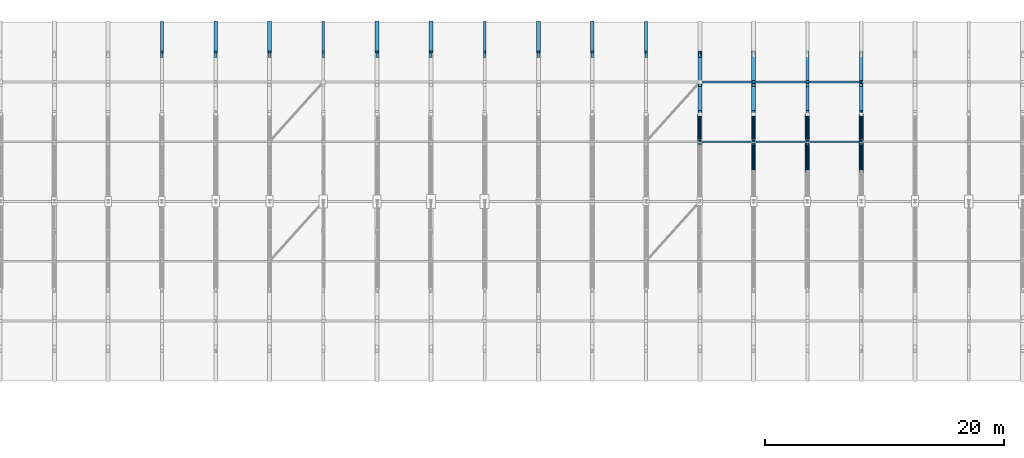
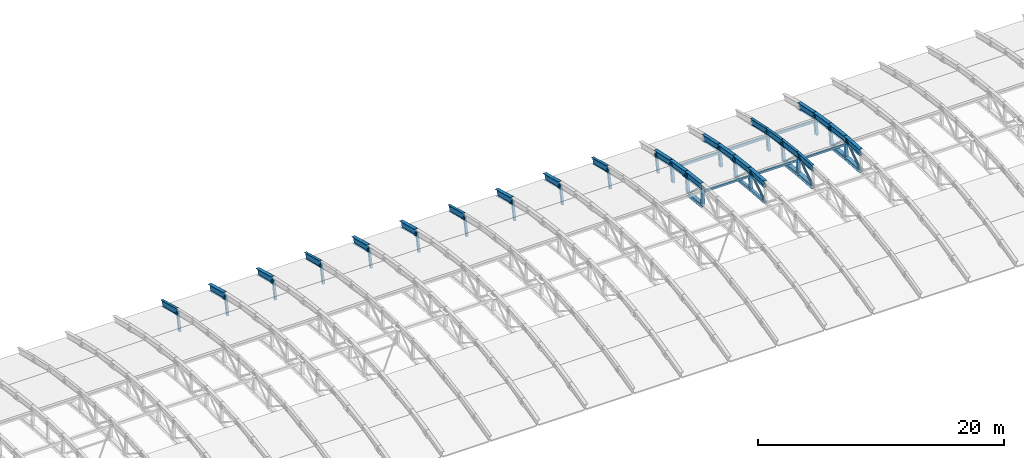
# One storey, part 20 of 53: 43 members, 25 beams.
"""IFC4 building model written with IfcOpenShell, lengths in metres."""

import ifcopenshell
import ifcopenshell.guid

model = None  # the IFC model being written
_history = None  # IfcOwnerHistory: only IFC2X3 demands one
_inside = {}  # id of a spatial element -> (the spatial element, [elements in it])
_under = {}  # id of a project, library or spatial element -> (it, [spatial elements below it])
_declared = {}  # id of a project -> (the project, [libraries it declares])
_typed = {}  # id of a type object -> (the type object, [elements of that type])
_made_of = {}  # id of a material, layer set ... -> (it, [elements and type objects made of it])


def new_model(schema):
    """Start an empty IFC model of exactly this schema.

    Asked for "IFC4X3", IfcOpenShell would pick the latest addendum, in which some entities
    have other attributes; the version numbers below select the first issue.
    IFC2X3 requires an IfcOwnerHistory on every rooted entity: one is made here for all.
    """
    global model, _history
    if schema == "IFC4X3":
        model = ifcopenshell.file(schema_version=(4, 3, 0, 0))
    else:
        model = ifcopenshell.file(schema=schema)
    _inside.clear()
    _under.clear()
    _declared.clear()
    _typed.clear()
    _made_of.clear()
    _history = None
    if model.schema == "IFC2X3":
        org = make("IfcOrganization", Name="unknown")
        user = make(
            "IfcPersonAndOrganization",
            ThePerson=make("IfcPerson", FamilyName="unknown"),
            TheOrganization=org,
        )
        app = make(
            "IfcApplication",
            ApplicationDeveloper=org,
            Version="unknown",
            ApplicationFullName="unknown",
            ApplicationIdentifier="unknown",
        )
        _history = make(
            "IfcOwnerHistory",
            OwningUser=user,
            OwningApplication=app,
            ChangeAction="ADDED",
            CreationDate=0,
        )
    return model


def make(cls, **values):
    """One entity of the class cls with the attributes given. An attribute that is None is left unset."""
    return model.create_entity(
        cls, **{name: value for name, value in values.items() if value is not None}
    )


def rooted(cls, **values):
    """An entity with a GlobalId (a new one), such as an element, a storey or a relation."""
    return make(cls, GlobalId=ifcopenshell.guid.new(), OwnerHistory=_history, **values)


def si_unit(unit_type, name, prefix=None):
    """IfcSIUnit, for example si_unit("LENGTHUNIT", "METRE", prefix="MILLI")."""
    return make("IfcSIUnit", UnitType=unit_type, Prefix=prefix, Name=name)


def assignment(units):
    """IfcUnitAssignment: the units of a project."""
    return None if units is None else make("IfcUnitAssignment", Units=units)


def point(xyz):
    """IfcCartesianPoint."""
    return None if xyz is None else make("IfcCartesianPoint", Coordinates=xyz)


def direction(xyz):
    """IfcDirection."""
    return None if xyz is None else make("IfcDirection", DirectionRatios=xyz)


def frame(location, z_axis=None, x_axis=None):
    """IfcAxis2Placement3D, a coordinate frame: its origin and axes. An axis left out is left unset."""
    return make(
        "IfcAxis2Placement3D",
        Location=point(location),
        Axis=direction(z_axis),
        RefDirection=direction(x_axis),
    )


def frame_2d(location, x_axis=None):
    """IfcAxis2Placement2D, a coordinate frame in the plane: its origin and x axis."""
    return make(
        "IfcAxis2Placement2D", Location=point(location), RefDirection=direction(x_axis)
    )


def origin():
    """The frame at (0, 0, 0) with its axes left unset."""
    return frame((0.0, 0.0, 0.0))


def origin_2d():
    """The frame at (0, 0) in the plane with its x axis left unset."""
    return frame_2d((0.0, 0.0))


def place(relative_to, where):
    """IfcLocalPlacement: puts the frame where relative to a parent placement (None: the world)."""
    return make(
        "IfcLocalPlacement", PlacementRelTo=relative_to, RelativePlacement=where
    )


def context(
    kind, dimensions, precision=None, world=None, true_north=None, identifier=None
):
    """IfcGeometricRepresentationContext, for example the 3D "Model" context."""
    return make(
        "IfcGeometricRepresentationContext",
        ContextIdentifier=identifier,
        ContextType=kind,
        CoordinateSpaceDimension=dimensions,
        Precision=precision,
        WorldCoordinateSystem=world,
        TrueNorth=true_north,
    )


def subcontext(parent, identifier, kind, view, scale=None):
    """IfcGeometricRepresentationSubContext, for example "Body" below "Model"."""
    return make(
        "IfcGeometricRepresentationSubContext",
        ContextIdentifier=identifier,
        ContextType=kind,
        ParentContext=parent,
        TargetScale=scale,
        TargetView=view,
    )


def project(units=None, contexts=None):
    """IfcProject with its units and contexts."""
    return rooted(
        "IfcProject",
        Name="project",
        RepresentationContexts=contexts,
        UnitsInContext=assignment(units),
    )


def spatial(cls, under=None, at=None, **own):
    """A site, building, storey or space (cls), placed at a placement, below another one or the project."""
    s = rooted(cls, ObjectPlacement=at, **own)
    if under is not None:
        _under.setdefault(under.id(), (under, []))[1].append(s)
    return s


def profile(cls, at=None, kind="AREA", **sizes):
    """A parametric profile (cls). Its sizes go by their IFC names, for example OverallWidth=200.0."""
    return make(cls, ProfileType=kind, Position=at, **sizes)


def hollow_rectangle(**sizes):
    """IfcRectangleHollowProfileDef."""
    return profile("IfcRectangleHollowProfileDef", **sizes)


def hollow_circle(**sizes):
    """IfcCircleHollowProfileDef."""
    return profile("IfcCircleHollowProfileDef", **sizes)


def i_section(**sizes):
    """IfcIShapeProfileDef."""
    return profile("IfcIShapeProfileDef", **sizes)


def extrude(swept, where, along, depth):
    """IfcExtrudedAreaSolid: the profile swept, set in the frame where, extruded along a direction by depth."""
    return make(
        "IfcExtrudedAreaSolid",
        SweptArea=swept,
        Position=where,
        ExtrudedDirection=direction(along),
        Depth=depth,
    )


def shape(context_of_items, identifier, shape_type, items):
    """IfcShapeRepresentation: the items that make up one representation, for example the "Body"."""
    return make(
        "IfcShapeRepresentation",
        ContextOfItems=context_of_items,
        RepresentationIdentifier=identifier,
        RepresentationType=shape_type,
        Items=items,
    )


def material(Name=None, Category=None):
    """IfcMaterial."""
    return make("IfcMaterial", Name=Name, Category=Category)


def material_profile(
    of_material, cross_section, Name=None, Category=None, Priority=None
):
    """IfcMaterialProfile: a cross section and its material."""
    return make(
        "IfcMaterialProfile",
        Name=Name,
        Material=of_material,
        Profile=cross_section,
        Priority=Priority,
        Category=Category,
    )


def profile_set(profiles, Name=None, composite=None):
    """IfcMaterialProfileSet."""
    return make(
        "IfcMaterialProfileSet",
        Name=Name,
        MaterialProfiles=profiles,
        CompositeProfile=composite,
    )


def made_of(thing, what):
    """Note that an element or type object is made of a material, layer set ...; save() writes the relation."""
    if what is not None:
        _made_of.setdefault(what.id(), (what, []))[1].append(thing)
    return thing


def type_object(cls, material=None, **own):
    """A type object (cls), such as IfcWallType, which elements share."""
    return made_of(rooted(cls, **own), material)


def element(
    cls,
    number,
    at=None,
    inside=None,
    cuts=None,
    type_object=None,
    material=None,
    context=None,
    identifier="Body",
    shape_type=None,
    held_by="IfcProductDefinitionShape",
    body=None,
    shapes=None,
    **own,
):
    """One element of the class cls, such as IfcWall. Its Tag is "e" and its number.

    at: its placement. inside: the storey or other place that contains it. cuts: it is an
    opening in that element (IfcRelVoidsElement). A single representation is given by context,
    identifier, shape_type and body (its items); several are given by shapes. held_by: the class
    of the entity that holds the representations. save() writes the other relations.
    """
    e = rooted(cls, Tag="e%d" % number, ObjectPlacement=at, **own)
    if body is not None:
        shapes = [shape(context, identifier, shape_type, body)]
    if shapes is not None:
        e.Representation = make(held_by, Representations=shapes)
    if inside is not None:
        _inside.setdefault(inside.id(), (inside, []))[1].append(e)
    if cuts is not None:
        rooted(
            "IfcRelVoidsElement", RelatingBuildingElement=cuts, RelatedOpeningElement=e
        )
    if type_object is not None:
        _typed.setdefault(type_object.id(), (type_object, []))[1].append(e)
    return made_of(e, material)


def aggregate(whole, parts):
    """IfcRelAggregates: a whole, such as a stair, and the parts it consists of."""
    return rooted("IfcRelAggregates", RelatingObject=whole, RelatedObjects=parts)


def save(model, path):
    """Write the relations noted so far, then the file.

    IfcRelAggregates (storeys below a building ...), IfcRelContainedInSpatialStructure (elements
    in a storey), IfcRelDefinesByType, IfcRelAssociatesMaterial and IfcRelDeclares: one each for
    every whole, place, type object, material and project.
    """
    for whole, parts in _under.values():
        aggregate(whole, parts)
    for where, things in _inside.values():
        rooted(
            "IfcRelContainedInSpatialStructure",
            RelatedElements=things,
            RelatingStructure=where,
        )
    for kind, things in _typed.values():
        rooted("IfcRelDefinesByType", RelatedObjects=things, RelatingType=kind)
    for what, things in _made_of.values():
        rooted("IfcRelAssociatesMaterial", RelatedObjects=things, RelatingMaterial=what)
    for by, libraries in _declared.values():
        rooted("IfcRelDeclares", RelatingContext=by, RelatedDefinitions=libraries)
    model.write(path)


model = new_model("IFC4")

# Units and contexts
model_context = context("Model", 3, precision=1e-05, world=origin(), true_north=direction((0.0, 1.0)))
body_context = subcontext(model_context, "Body", "Model", "MODEL_VIEW")
ifc_project = project(units=[si_unit("LENGTHUNIT", "METRE"), si_unit("AREAUNIT", "SQUARE_METRE"), si_unit("VOLUMEUNIT", "CUBIC_METRE"), si_unit("PLANEANGLEUNIT", "RADIAN"), si_unit("MASSUNIT", "GRAM", prefix="KILO")], contexts=[model_context])

# Site, building, storey
site_placement = place(None, origin())
site = spatial("IfcSite", under=ifc_project, at=site_placement, CompositionType="ELEMENT")
building_placement = place(site_placement, origin())
building = spatial("IfcBuilding", under=site, at=building_placement, Name="Cazmaro Siding Exhibition Halls", CompositionType="ELEMENT")
storey_placement = place(building_placement, frame((0.0, 0.0, 21.0)))
storey = spatial("IfcBuildingStorey", under=building, at=storey_placement, Name="L04", CompositionType="ELEMENT", Elevation=21.0)

# Beams
ifc_material_1 = material(Name="Steel ASTM A992 Grade 50", Category="steel")
ifc_material_profile_1 = material_profile(ifc_material_1, i_section(OverallWidth=0.327880859375, OverallDepth=0.626953125, WebThickness=0.01708984375, FlangeThickness=0.028076171875, at=origin_2d()), Name="W24X146")
ifc_profile_set_1 = profile_set([ifc_material_profile_1], Name="Steel ASTM A992 Grade 50")
beam_type_1 = type_object("IfcBeamType", Name="AR-01", PredefinedType="USERDEFINED", material=ifc_profile_set_1)
for number, where, z_axis, x_axis, name in (
    (1, (72.0, 106.5, 1.02001953125), (0.0, 0.966391398669, -0.257075211911), (-1.0, 0.0, 0.0), "Space frame barrel vault arched rib AR-01 BM-0696"),
    (2, (85.5, 106.5, 1.02001953125), (0.0, 0.966391398669, -0.257075211911), (-1.0, 0.0, 0.0), "Space frame barrel vault arched rib AR-01 BM-0768"),
    (3, (99.0, 106.5, 1.02001953125), (0.0, 0.966391398669, -0.257075211911), (-1.0, 0.0, 0.0), "Space frame barrel vault arched rib AR-01 BM-0840"),
):
    element("IfcBeam", number, at=place(storey_placement, frame(where, z_axis=z_axis, x_axis=x_axis)), inside=storey, type_object=beam_type_1, Name=name, ObjectType="ARCHED RIB", PredefinedType="USERDEFINED", context=body_context, shape_type="SweptSolid", body=[
        extrude(i_section(OverallWidth=0.327880859375, OverallDepth=0.626953125, WebThickness=0.01708984375, FlangeThickness=0.028076171875, at=origin_2d()), origin(), (0.0, 0.0, 1.0), 2.5869140625),
    ])
beam_1_placement = place(storey_placement, frame((112.5, 99.0, 2.26611328125), z_axis=(0.0, 0.993147293786, -0.116869383693), x_axis=(-1.0, 0.0, 0.0)))
element("IfcBeam", 4, at=beam_1_placement, inside=storey, type_object=beam_type_1, Name="Space frame barrel vault arched rib AR-01 BM-0909", ObjectType="ARCHED RIB", PredefinedType="USERDEFINED", context=body_context, shape_type="SweptSolid", body=[
    extrude(i_section(OverallWidth=0.327880859375, OverallDepth=0.626953125, WebThickness=0.01708984375, FlangeThickness=0.028076171875, at=origin_2d()), origin(), (0.0, 0.0, 1.0), 2.517333984375),
])
beam_2_placement = place(storey_placement, frame((112.5, 101.5, 1.971923828125), z_axis=(0.0, 0.98649787474, -0.163774061236), x_axis=(-1.0, 0.0, 0.0)))
element("IfcBeam", 5, at=beam_2_placement, inside=storey, type_object=beam_type_1, Name="Space frame barrel vault arched rib AR-01 BM-0910", ObjectType="ARCHED RIB", PredefinedType="USERDEFINED", context=body_context, shape_type="SweptSolid", body=[
    extrude(i_section(OverallWidth=0.327880859375, OverallDepth=0.626953125, WebThickness=0.01708984375, FlangeThickness=0.028076171875, at=origin_2d()), origin(), (0.0, 0.0, 1.0), 2.5341796875),
])
beam_3_placement = place(storey_placement, frame((112.5, 104.0, 1.556884765625), z_axis=(0.0, 0.977710100146, -0.209959424826), x_axis=(-1.0, 0.0, 0.0)))
element("IfcBeam", 6, at=beam_3_placement, inside=storey, type_object=beam_type_1, Name="Space frame barrel vault arched rib AR-01 BM-0911", ObjectType="ARCHED RIB", PredefinedType="USERDEFINED", context=body_context, shape_type="SweptSolid", body=[
    extrude(i_section(OverallWidth=0.327880859375, OverallDepth=0.626953125, WebThickness=0.01708984375, FlangeThickness=0.028076171875, at=origin_2d()), origin(), (0.0, 0.0, 1.0), 2.556884765625),
])
beam_4_placement = place(storey_placement, frame((126.0, 96.5, 2.44189453125), z_axis=(0.0, 0.997537204184, -0.070139334669), x_axis=(-1.0, 0.0, 0.0)))
element("IfcBeam", 7, at=beam_4_placement, inside=storey, type_object=beam_type_1, Name="Space frame barrel vault arched rib AR-01 BM-0980", ObjectType="ARCHED RIB", PredefinedType="USERDEFINED", context=body_context, shape_type="SweptSolid", body=[
    extrude(i_section(OverallWidth=0.327880859375, OverallDepth=0.626953125, WebThickness=0.01708984375, FlangeThickness=0.028076171875, at=origin_2d()), origin(), (0.0, 0.0, 1.0), 2.506103515625),
])
beam_5_placement = place(storey_placement, frame((126.0, 99.0, 2.26611328125), z_axis=(0.0, 0.993147293786, -0.116869383693), x_axis=(-1.0, 0.0, 0.0)))
element("IfcBeam", 8, at=beam_5_placement, inside=storey, type_object=beam_type_1, Name="Space frame barrel vault arched rib AR-01 BM-0981", ObjectType="ARCHED RIB", PredefinedType="USERDEFINED", context=body_context, shape_type="SweptSolid", body=[
    extrude(i_section(OverallWidth=0.327880859375, OverallDepth=0.626953125, WebThickness=0.01708984375, FlangeThickness=0.028076171875, at=origin_2d()), origin(), (0.0, 0.0, 1.0), 2.517333984375),
])
beam_6_placement = place(storey_placement, frame((126.0, 101.5, 1.971923828125), z_axis=(0.0, 0.98649787474, -0.163774061236), x_axis=(-1.0, 0.0, 0.0)))
element("IfcBeam", 9, at=beam_6_placement, inside=storey, type_object=beam_type_1, Name="Space frame barrel vault arched rib AR-01 BM-0982", ObjectType="ARCHED RIB", PredefinedType="USERDEFINED", context=body_context, shape_type="SweptSolid", body=[
    extrude(i_section(OverallWidth=0.327880859375, OverallDepth=0.626953125, WebThickness=0.01708984375, FlangeThickness=0.028076171875, at=origin_2d()), origin(), (0.0, 0.0, 1.0), 2.5341796875),
])
beam_7_placement = place(storey_placement, frame((126.0, 104.0, 1.556884765625), z_axis=(0.0, 0.977710100146, -0.209959424826), x_axis=(-1.0, 0.0, 0.0)))
element("IfcBeam", 10, at=beam_7_placement, inside=storey, type_object=beam_type_1, Name="Space frame barrel vault arched rib AR-01 BM-0983", ObjectType="ARCHED RIB", PredefinedType="USERDEFINED", context=body_context, shape_type="SweptSolid", body=[
    extrude(i_section(OverallWidth=0.327880859375, OverallDepth=0.626953125, WebThickness=0.01708984375, FlangeThickness=0.028076171875, at=origin_2d()), origin(), (0.0, 0.0, 1.0), 2.556884765625),
])
ifc_material_2 = material(Name="Steel ASTM A992 Grade 50", Category="steel")
ifc_material_profile_2 = material_profile(ifc_material_2, i_section(OverallWidth=0.324951171875, OverallDepth=0.612060546875, WebThickness=0.012939453125, FlangeThickness=0.01904296875, at=origin_2d()), Name="W24X104")
ifc_profile_set_2 = profile_set([ifc_material_profile_2], Name="Steel ASTM A992 Grade 50")
beam_type_2 = type_object("IfcBeamType", Name="AR-02", PredefinedType="USERDEFINED", material=ifc_profile_set_2)
for number, where, z_axis, x_axis, name in (
    (11, (76.5, 106.5, 1.02001953125), (0.0, 0.966391398669, -0.257075211911), (-1.0, 0.0, 0.0), "Space frame barrel vault arched rib AR-02 BM-0720"),
    (12, (90.0, 106.5, 1.02001953125), (0.0, 0.966391398669, -0.257075211911), (-1.0, 0.0, 0.0), "Space frame barrel vault arched rib AR-02 BM-0792"),
    (13, (103.5, 106.5, 1.02001953125), (0.0, 0.966391398669, -0.257075211911), (-1.0, 0.0, 0.0), "Space frame barrel vault arched rib AR-02 BM-0864"),
):
    element("IfcBeam", number, at=place(storey_placement, frame(where, z_axis=z_axis, x_axis=x_axis)), inside=storey, type_object=beam_type_2, Name=name, ObjectType="ARCHED RIB", PredefinedType="USERDEFINED", context=body_context, shape_type="SweptSolid", body=[
        extrude(i_section(OverallWidth=0.324951171875, OverallDepth=0.612060546875, WebThickness=0.012939453125, FlangeThickness=0.01904296875, at=origin_2d()), origin(), (0.0, 0.0, 1.0), 2.5869140625),
    ])
beam_8_placement = place(storey_placement, frame((117.0, 96.5, 2.44189453125), z_axis=(0.0, 0.997537204184, -0.070139334669), x_axis=(-1.0, 0.0, 0.0)))
element("IfcBeam", 14, at=beam_8_placement, inside=storey, type_object=beam_type_2, Name="Space frame barrel vault arched rib AR-02 BM-0932", ObjectType="ARCHED RIB", PredefinedType="USERDEFINED", context=body_context, shape_type="SweptSolid", body=[
    extrude(i_section(OverallWidth=0.324951171875, OverallDepth=0.612060546875, WebThickness=0.012939453125, FlangeThickness=0.01904296875, at=origin_2d()), origin(), (0.0, 0.0, 1.0), 2.506103515625),
])
beam_9_placement = place(storey_placement, frame((117.0, 99.0, 2.26611328125), z_axis=(0.0, 0.993147293786, -0.116869383693), x_axis=(-1.0, 0.0, 0.0)))
element("IfcBeam", 15, at=beam_9_placement, inside=storey, type_object=beam_type_2, Name="Space frame barrel vault arched rib AR-02 BM-0933", ObjectType="ARCHED RIB", PredefinedType="USERDEFINED", context=body_context, shape_type="SweptSolid", body=[
    extrude(i_section(OverallWidth=0.324951171875, OverallDepth=0.612060546875, WebThickness=0.012939453125, FlangeThickness=0.01904296875, at=origin_2d()), origin(), (0.0, 0.0, 1.0), 2.517333984375),
])
beam_10_placement = place(storey_placement, frame((117.0, 101.5, 1.971923828125), z_axis=(0.0, 0.98649787474, -0.163774061236), x_axis=(-1.0, 0.0, 0.0)))
element("IfcBeam", 16, at=beam_10_placement, inside=storey, type_object=beam_type_2, Name="Space frame barrel vault arched rib AR-02 BM-0934", ObjectType="ARCHED RIB", PredefinedType="USERDEFINED", context=body_context, shape_type="SweptSolid", body=[
    extrude(i_section(OverallWidth=0.324951171875, OverallDepth=0.612060546875, WebThickness=0.012939453125, FlangeThickness=0.01904296875, at=origin_2d()), origin(), (0.0, 0.0, 1.0), 2.5341796875),
])
beam_11_placement = place(storey_placement, frame((117.0, 104.0, 1.556884765625), z_axis=(0.0, 0.977710100146, -0.209959424826), x_axis=(-1.0, 0.0, 0.0)))
element("IfcBeam", 17, at=beam_11_placement, inside=storey, type_object=beam_type_2, Name="Space frame barrel vault arched rib AR-02 BM-0935", ObjectType="ARCHED RIB", PredefinedType="USERDEFINED", context=body_context, shape_type="SweptSolid", body=[
    extrude(i_section(OverallWidth=0.324951171875, OverallDepth=0.612060546875, WebThickness=0.012939453125, FlangeThickness=0.01904296875, at=origin_2d()), origin(), (0.0, 0.0, 1.0), 2.556884765625),
])
ifc_material_3 = material(Name="Steel ASTM A992 Grade 50", Category="steel")
ifc_material_profile_3 = material_profile(ifc_material_3, i_section(OverallWidth=0.22900390625, OverallDepth=0.612060546875, WebThickness=0.011962890625, FlangeThickness=0.02001953125, at=origin_2d()), Name="W24X84")
ifc_profile_set_3 = profile_set([ifc_material_profile_3], Name="Steel ASTM A992 Grade 50")
beam_type_3 = type_object("IfcBeamType", Name="AR-03", PredefinedType="USERDEFINED", material=ifc_profile_set_3)
for number, where, z_axis, x_axis, name in (
    (18, (67.5, 106.5, 1.02001953125), (0.0, 0.966391398669, -0.257075211911), (-1.0, 0.0, 0.0), "Space frame barrel vault arched rib AR-03 BM-0672"),
    (19, (81.0, 106.5, 1.02001953125), (0.0, 0.966391398669, -0.257075211911), (-1.0, 0.0, 0.0), "Space frame barrel vault arched rib AR-03 BM-0744"),
    (20, (94.5, 106.5, 1.02001953125), (0.0, 0.966391398669, -0.257075211911), (-1.0, 0.0, 0.0), "Space frame barrel vault arched rib AR-03 BM-0816"),
    (21, (108.0, 106.5, 1.02001953125), (0.0, 0.966391398669, -0.257075211911), (-1.0, 0.0, 0.0), "Space frame barrel vault arched rib AR-03 BM-0888"),
):
    element("IfcBeam", number, at=place(storey_placement, frame(where, z_axis=z_axis, x_axis=x_axis)), inside=storey, type_object=beam_type_3, Name=name, ObjectType="ARCHED RIB", PredefinedType="USERDEFINED", context=body_context, shape_type="SweptSolid", body=[
        extrude(i_section(OverallWidth=0.22900390625, OverallDepth=0.612060546875, WebThickness=0.011962890625, FlangeThickness=0.02001953125, at=origin_2d()), origin(), (0.0, 0.0, 1.0), 2.5869140625),
    ])
beam_12_placement = place(storey_placement, frame((121.5, 96.5, 2.44189453125), z_axis=(0.0, 0.997537204184, -0.070139334669), x_axis=(-1.0, 0.0, 0.0)))
element("IfcBeam", 22, at=beam_12_placement, inside=storey, type_object=beam_type_3, Name="Space frame barrel vault arched rib AR-03 BM-0956", ObjectType="ARCHED RIB", PredefinedType="USERDEFINED", context=body_context, shape_type="SweptSolid", body=[
    extrude(i_section(OverallWidth=0.22900390625, OverallDepth=0.612060546875, WebThickness=0.011962890625, FlangeThickness=0.02001953125, at=origin_2d()), origin(), (0.0, 0.0, 1.0), 2.506103515625),
])
beam_13_placement = place(storey_placement, frame((121.5, 99.0, 2.26611328125), z_axis=(0.0, 0.993147293786, -0.116869383693), x_axis=(-1.0, 0.0, 0.0)))
element("IfcBeam", 23, at=beam_13_placement, inside=storey, type_object=beam_type_3, Name="Space frame barrel vault arched rib AR-03 BM-0957", ObjectType="ARCHED RIB", PredefinedType="USERDEFINED", context=body_context, shape_type="SweptSolid", body=[
    extrude(i_section(OverallWidth=0.22900390625, OverallDepth=0.612060546875, WebThickness=0.011962890625, FlangeThickness=0.02001953125, at=origin_2d()), origin(), (0.0, 0.0, 1.0), 2.517333984375),
])
beam_14_placement = place(storey_placement, frame((121.5, 101.5, 1.971923828125), z_axis=(0.0, 0.98649787474, -0.163774061236), x_axis=(-1.0, 0.0, 0.0)))
element("IfcBeam", 24, at=beam_14_placement, inside=storey, type_object=beam_type_3, Name="Space frame barrel vault arched rib AR-03 BM-0958", ObjectType="ARCHED RIB", PredefinedType="USERDEFINED", context=body_context, shape_type="SweptSolid", body=[
    extrude(i_section(OverallWidth=0.22900390625, OverallDepth=0.612060546875, WebThickness=0.011962890625, FlangeThickness=0.02001953125, at=origin_2d()), origin(), (0.0, 0.0, 1.0), 2.5341796875),
])
beam_15_placement = place(storey_placement, frame((121.5, 104.0, 1.556884765625), z_axis=(0.0, 0.977710100146, -0.209959424826), x_axis=(-1.0, 0.0, 0.0)))
element("IfcBeam", 25, at=beam_15_placement, inside=storey, type_object=beam_type_3, Name="Space frame barrel vault arched rib AR-03 BM-0959", ObjectType="ARCHED RIB", PredefinedType="USERDEFINED", context=body_context, shape_type="SweptSolid", body=[
    extrude(i_section(OverallWidth=0.22900390625, OverallDepth=0.612060546875, WebThickness=0.011962890625, FlangeThickness=0.02001953125, at=origin_2d()), origin(), (0.0, 0.0, 1.0), 2.556884765625),
])

# Members
ifc_material_4 = material(Name="Steel ASTM A500 Grade C", Category="steel")
ifc_material_profile_4 = material_profile(ifc_material_4, hollow_rectangle(XDim=0.152099609375, YDim=0.202880859375, WallThickness=0.011962890625, at=origin_2d()), Name="HSS8X6X1/2")
ifc_profile_set_4 = profile_set([ifc_material_profile_4], Name="Steel ASTM A500 Grade C")
member_type_1 = type_object("IfcMemberType", Name="RP-01", PredefinedType="PURLIN", material=ifc_profile_set_4)
for number, where, z_axis, x_axis, name in (
    (26, (112.5, 99.0, 1.72607421875), (1.0, 0.0, 0.0), (0.0, 1.0, 0.0), "Space frame barrel vault purlin RP-01 MEM-2153"),
    (27, (117.0, 99.0, 1.72607421875), (1.0, 0.0, 0.0), (0.0, 1.0, 0.0), "Space frame barrel vault purlin RP-01 MEM-2164"),
    (28, (121.5, 99.0, 1.72607421875), (1.0, 0.0, 0.0), (0.0, 1.0, 0.0), "Space frame barrel vault purlin RP-01 MEM-2175"),
):
    element("IfcMember", number, at=place(storey_placement, frame(where, z_axis=z_axis, x_axis=x_axis)), inside=storey, type_object=member_type_1, Name=name, PredefinedType="PURLIN", context=body_context, shape_type="SweptSolid", body=[
        extrude(hollow_rectangle(XDim=0.152099609375, YDim=0.202880859375, WallThickness=0.011962890625, at=origin_2d()), origin(), (0.0, 0.0, 1.0), 4.5),
    ])
ifc_material_5 = material(Name="Steel ASTM A500 Grade C", Category="steel")
ifc_material_profile_5 = material_profile(ifc_material_5, hollow_rectangle(XDim=0.152099609375, YDim=0.25390625, WallThickness=0.011962890625, at=origin_2d()), Name="HSS10X6X1/2")
ifc_profile_set_5 = profile_set([ifc_material_profile_5], Name="Steel ASTM A500 Grade C")
member_type_2 = type_object("IfcMemberType", Name="RP-04", PredefinedType="PURLIN", material=ifc_profile_set_5)
for number, where, z_axis, x_axis, name in (
    (29, (112.5, 104.0, 1.01708984375), (1.0, 0.0, 0.0), (0.0, 1.0, 0.0), "Space frame barrel vault purlin RP-04 MEM-2154"),
    (30, (117.0, 104.0, 1.01708984375), (1.0, 0.0, 0.0), (0.0, 1.0, 0.0), "Space frame barrel vault purlin RP-04 MEM-2165"),
    (31, (121.5, 104.0, 1.01708984375), (1.0, 0.0, 0.0), (0.0, 1.0, 0.0), "Space frame barrel vault purlin RP-04 MEM-2176"),
):
    element("IfcMember", number, at=place(storey_placement, frame(where, z_axis=z_axis, x_axis=x_axis)), inside=storey, type_object=member_type_2, Name=name, PredefinedType="PURLIN", context=body_context, shape_type="SweptSolid", body=[
        extrude(hollow_rectangle(XDim=0.152099609375, YDim=0.25390625, WallThickness=0.011962890625, at=origin_2d()), origin(), (0.0, 0.0, 1.0), 4.5),
    ])
ifc_material_6 = material(Name="Steel ASTM A500 Grade C", Category="steel")
ifc_material_profile_6 = material_profile(ifc_material_6, hollow_rectangle(XDim=0.25390625, YDim=0.25390625, WallThickness=0.014892578125, at=origin_2d()), Name="HSS10X10X5/8")
ifc_profile_set_6 = profile_set([ifc_material_profile_6], Name="Steel ASTM A500 Grade C")
member_type_3 = type_object("IfcMemberType", Name="TC-01", PredefinedType="CHORD", material=ifc_profile_set_6)
member_1_placement = place(storey_placement, frame((117.0, 96.429931640625, 0.64404296875), z_axis=(0.0, 0.997529419526, -0.070249962135), x_axis=(-1.0, 0.0, 0.0)))
element("IfcMember", 32, at=member_1_placement, inside=storey, type_object=member_type_3, Name="Space frame barrel vault bottom chord TC-01 MEM-1115", PredefinedType="CHORD", context=body_context, shape_type="SweptSolid", body=[
    extrude(hollow_rectangle(XDim=0.25390625, YDim=0.25390625, WallThickness=0.014892578125, at=origin_2d()), origin(), (0.0, 0.0, 1.0), 2.436279296875),
])
member_2_placement = place(storey_placement, frame((117.0, 98.860107421875, 0.472900390625), z_axis=(0.0, 0.993149923187, -0.116847037079), x_axis=(-1.0, 0.0, 0.0)))
element("IfcMember", 33, at=member_2_placement, inside=storey, type_object=member_type_3, Name="Space frame barrel vault bottom chord TC-01 MEM-1117", PredefinedType="CHORD", context=body_context, shape_type="SweptSolid", body=[
    extrude(hollow_rectangle(XDim=0.25390625, YDim=0.25390625, WallThickness=0.014892578125, at=origin_2d()), origin(), (0.0, 0.0, 1.0), 2.44677734375),
])
ifc_material_7 = material(Name="Steel ASTM A992 Grade 50", Category="steel")
ifc_material_profile_7 = material_profile(ifc_material_7, i_section(OverallWidth=0.37109375, OverallDepth=0.364013671875, WebThickness=0.012939453125, FlangeThickness=0.02197265625, at=origin_2d()), Name="W14X109")
ifc_profile_set_7 = profile_set([ifc_material_profile_7], Name="Steel ASTM A992 Grade 50")
member_type_4 = type_object("IfcMemberType", Name="TC-06", PredefinedType="CHORD", material=ifc_profile_set_7)
member_3_placement = place(storey_placement, frame((112.5, 98.860107421875, 0.472900390625), z_axis=(0.0, 0.993149923187, -0.116847037079), x_axis=(-1.0, 0.0, 0.0)))
element("IfcMember", 34, at=member_3_placement, inside=storey, type_object=member_type_4, Name="Space frame barrel vault bottom chord TC-06 MEM-1046", PredefinedType="CHORD", context=body_context, shape_type="SweptSolid", body=[
    extrude(i_section(OverallWidth=0.37109375, OverallDepth=0.364013671875, WebThickness=0.012939453125, FlangeThickness=0.02197265625, at=origin_2d()), origin(), (0.0, 0.0, 1.0), 2.44677734375),
])
member_4_placement = place(storey_placement, frame((121.5, 96.429931640625, 0.64404296875), z_axis=(0.0, 0.997529419526, -0.070249962135), x_axis=(-1.0, 0.0, 0.0)))
element("IfcMember", 35, at=member_4_placement, inside=storey, type_object=member_type_4, Name="Space frame barrel vault bottom chord TC-06 MEM-1186", PredefinedType="CHORD", context=body_context, shape_type="SweptSolid", body=[
    extrude(i_section(OverallWidth=0.37109375, OverallDepth=0.364013671875, WebThickness=0.012939453125, FlangeThickness=0.02197265625, at=origin_2d()), origin(), (0.0, 0.0, 1.0), 2.436279296875),
])
member_5_placement = place(storey_placement, frame((121.5, 98.860107421875, 0.472900390625), z_axis=(0.0, 0.993149923187, -0.116847037079), x_axis=(-1.0, 0.0, 0.0)))
element("IfcMember", 36, at=member_5_placement, inside=storey, type_object=member_type_4, Name="Space frame barrel vault bottom chord TC-06 MEM-1188", PredefinedType="CHORD", context=body_context, shape_type="SweptSolid", body=[
    extrude(i_section(OverallWidth=0.37109375, OverallDepth=0.364013671875, WebThickness=0.012939453125, FlangeThickness=0.02197265625, at=origin_2d()), origin(), (0.0, 0.0, 1.0), 2.44677734375),
])
member_6_placement = place(storey_placement, frame((126.0, 96.429931640625, 0.64404296875), z_axis=(0.0, 0.997529419526, -0.070249962135), x_axis=(-1.0, 0.0, 0.0)))
element("IfcMember", 37, at=member_6_placement, inside=storey, type_object=member_type_4, Name="Space frame barrel vault bottom chord TC-06 MEM-1257", PredefinedType="CHORD", context=body_context, shape_type="SweptSolid", body=[
    extrude(i_section(OverallWidth=0.37109375, OverallDepth=0.364013671875, WebThickness=0.012939453125, FlangeThickness=0.02197265625, at=origin_2d()), origin(), (0.0, 0.0, 1.0), 2.436279296875),
])
member_7_placement = place(storey_placement, frame((126.0, 98.860107421875, 0.472900390625), z_axis=(0.0, 0.993149923187, -0.116847037079), x_axis=(-1.0, 0.0, 0.0)))
element("IfcMember", 38, at=member_7_placement, inside=storey, type_object=member_type_4, Name="Space frame barrel vault bottom chord TC-06 MEM-1259", PredefinedType="CHORD", context=body_context, shape_type="SweptSolid", body=[
    extrude(i_section(OverallWidth=0.37109375, OverallDepth=0.364013671875, WebThickness=0.012939453125, FlangeThickness=0.02197265625, at=origin_2d()), origin(), (0.0, 0.0, 1.0), 2.44677734375),
])
ifc_material_8 = material(Name="Steel ASTM A500 Grade C", Category="steel")
ifc_material_profile_8 = material_profile(ifc_material_8, hollow_rectangle(XDim=0.202880859375, YDim=0.202880859375, WallThickness=0.011962890625, at=origin_2d()), Name="HSS8X8X1/2")
ifc_profile_set_8 = profile_set([ifc_material_profile_8], Name="Steel ASTM A500 Grade C")
member_type_5 = type_object("IfcMemberType", Name="TP-01", PredefinedType="POST", material=ifc_profile_set_8)
for number, where, z_axis, x_axis, name in (
    (39, (67.5, 106.14990234375, -0.739013671875), (0.0, 0.195199839578, 0.980763489649), (-1.0, 0.0, 0.0), "Space frame barrel vault post TP-01 MEM-0372"),
    (40, (72.0, 106.14990234375, -0.739013671875), (0.0, 0.195199839578, 0.980763489649), (-1.0, 0.0, 0.0), "Space frame barrel vault post TP-01 MEM-0443"),
    (41, (76.5, 106.14990234375, -0.739013671875), (0.0, 0.195199839578, 0.980763489649), (-1.0, 0.0, 0.0), "Space frame barrel vault post TP-01 MEM-0514"),
    (42, (81.0, 106.14990234375, -0.739013671875), (0.0, 0.195199839578, 0.980763489649), (-1.0, 0.0, 0.0), "Space frame barrel vault post TP-01 MEM-0585"),
    (43, (85.5, 106.14990234375, -0.739013671875), (0.0, 0.195199839578, 0.980763489649), (-1.0, 0.0, 0.0), "Space frame barrel vault post TP-01 MEM-0656"),
    (44, (90.0, 106.14990234375, -0.739013671875), (0.0, 0.195199839578, 0.980763489649), (-1.0, 0.0, 0.0), "Space frame barrel vault post TP-01 MEM-0727"),
    (45, (94.5, 106.14990234375, -0.739013671875), (0.0, 0.195199839578, 0.980763489649), (-1.0, 0.0, 0.0), "Space frame barrel vault post TP-01 MEM-0798"),
    (46, (99.0, 106.14990234375, -0.739013671875), (0.0, 0.195199839578, 0.980763489649), (-1.0, 0.0, 0.0), "Space frame barrel vault post TP-01 MEM-0869"),
    (47, (103.5, 106.14990234375, -0.739013671875), (0.0, 0.195199839578, 0.980763489649), (-1.0, 0.0, 0.0), "Space frame barrel vault post TP-01 MEM-0940"),
    (48, (108.0, 106.14990234375, -0.739013671875), (0.0, 0.195199839578, 0.980763489649), (-1.0, 0.0, 0.0), "Space frame barrel vault post TP-01 MEM-1011"),
    (49, (112.5, 106.14990234375, -0.739013671875), (0.0, 0.195199839578, 0.980763489649), (-1.0, 0.0, 0.0), "Space frame barrel vault post TP-01 MEM-1082"),
):
    element("IfcMember", number, at=place(storey_placement, frame(where, z_axis=z_axis, x_axis=x_axis)), inside=storey, type_object=member_type_5, Name=name, PredefinedType="POST", context=body_context, shape_type="SweptSolid", body=[
        extrude(hollow_rectangle(XDim=0.202880859375, YDim=0.202880859375, WallThickness=0.011962890625, at=origin_2d()), origin(), (0.0, 0.0, 1.0), 1.79345703125),
    ])
ifc_material_9 = material(Name="Steel ASTM A992 Grade 50", Category="steel")
ifc_material_profile_9 = material_profile(ifc_material_9, i_section(OverallWidth=0.25390625, OverallDepth=0.25390625, WebThickness=0.009033203125, FlangeThickness=0.013916015625, at=origin_2d()), Name="W10X49")
ifc_profile_set_9 = profile_set([ifc_material_profile_9], Name="Steel ASTM A992 Grade 50")
member_type_6 = type_object("IfcMemberType", Name="TP-04", PredefinedType="POST", material=ifc_profile_set_9)
member_8_placement = place(storey_placement, frame((112.5, 98.860107421875, 0.472900390625), z_axis=(0.0, 0.077775943468, 0.996970863475), x_axis=(-1.0, 0.0, 0.0)))
element("IfcMember", 50, at=member_8_placement, inside=storey, type_object=member_type_6, Name="Space frame barrel vault post TP-04 MEM-1079", PredefinedType="POST", context=body_context, shape_type="SweptSolid", body=[
    extrude(i_section(OverallWidth=0.25390625, OverallDepth=0.25390625, WebThickness=0.009033203125, FlangeThickness=0.013916015625, at=origin_2d()), origin(), (0.0, 0.0, 1.0), 1.798583984375),
])
member_9_placement = place(storey_placement, frame((112.5, 101.2900390625, 0.18701171875), z_axis=(0.0, 0.116825484133, 0.993152458718), x_axis=(-1.0, 0.0, 0.0)))
element("IfcMember", 51, at=member_9_placement, inside=storey, type_object=member_type_6, Name="Space frame barrel vault post TP-04 MEM-1080", PredefinedType="POST", context=body_context, shape_type="SweptSolid", body=[
    extrude(i_section(OverallWidth=0.25390625, OverallDepth=0.25390625, WebThickness=0.009033203125, FlangeThickness=0.013916015625, at=origin_2d()), origin(), (0.0, 0.0, 1.0), 1.797119140625),
])
member_10_placement = place(storey_placement, frame((112.5, 103.719970703125, -0.217041015625), z_axis=(0.0, 0.155927668857, 0.987768475952), x_axis=(-1.0, 0.0, 0.0)))
element("IfcMember", 52, at=member_10_placement, inside=storey, type_object=member_type_6, Name="Space frame barrel vault post TP-04 MEM-1081", PredefinedType="POST", context=body_context, shape_type="SweptSolid", body=[
    extrude(i_section(OverallWidth=0.25390625, OverallDepth=0.25390625, WebThickness=0.009033203125, FlangeThickness=0.013916015625, at=origin_2d()), origin(), (0.0, 0.0, 1.0), 1.7958984375),
])
member_11_placement = place(storey_placement, frame((117.0, 98.860107421875, 0.472900390625), z_axis=(0.0, 0.077775943468, 0.996970863475), x_axis=(-1.0, 0.0, 0.0)))
element("IfcMember", 53, at=member_11_placement, inside=storey, type_object=member_type_6, Name="Space frame barrel vault post TP-04 MEM-1150", PredefinedType="POST", context=body_context, shape_type="SweptSolid", body=[
    extrude(i_section(OverallWidth=0.25390625, OverallDepth=0.25390625, WebThickness=0.009033203125, FlangeThickness=0.013916015625, at=origin_2d()), origin(), (0.0, 0.0, 1.0), 1.798583984375),
])
member_12_placement = place(storey_placement, frame((117.0, 101.2900390625, 0.18701171875), z_axis=(0.0, 0.116825484133, 0.993152458718), x_axis=(-1.0, 0.0, 0.0)))
element("IfcMember", 54, at=member_12_placement, inside=storey, type_object=member_type_6, Name="Space frame barrel vault post TP-04 MEM-1151", PredefinedType="POST", context=body_context, shape_type="SweptSolid", body=[
    extrude(i_section(OverallWidth=0.25390625, OverallDepth=0.25390625, WebThickness=0.009033203125, FlangeThickness=0.013916015625, at=origin_2d()), origin(), (0.0, 0.0, 1.0), 1.797119140625),
])
member_13_placement = place(storey_placement, frame((117.0, 103.719970703125, -0.217041015625), z_axis=(0.0, 0.155927668857, 0.987768475952), x_axis=(-1.0, 0.0, 0.0)))
element("IfcMember", 55, at=member_13_placement, inside=storey, type_object=member_type_6, Name="Space frame barrel vault post TP-04 MEM-1152", PredefinedType="POST", context=body_context, shape_type="SweptSolid", body=[
    extrude(i_section(OverallWidth=0.25390625, OverallDepth=0.25390625, WebThickness=0.009033203125, FlangeThickness=0.013916015625, at=origin_2d()), origin(), (0.0, 0.0, 1.0), 1.7958984375),
])
member_14_placement = place(storey_placement, frame((121.5, 98.860107421875, 0.472900390625), z_axis=(0.0, 0.077775943468, 0.996970863475), x_axis=(-1.0, 0.0, 0.0)))
element("IfcMember", 56, at=member_14_placement, inside=storey, type_object=member_type_6, Name="Space frame barrel vault post TP-04 MEM-1221", PredefinedType="POST", context=body_context, shape_type="SweptSolid", body=[
    extrude(i_section(OverallWidth=0.25390625, OverallDepth=0.25390625, WebThickness=0.009033203125, FlangeThickness=0.013916015625, at=origin_2d()), origin(), (0.0, 0.0, 1.0), 1.798583984375),
])
member_15_placement = place(storey_placement, frame((121.5, 101.2900390625, 0.18701171875), z_axis=(0.0, 0.116825484133, 0.993152458718), x_axis=(-1.0, 0.0, 0.0)))
element("IfcMember", 57, at=member_15_placement, inside=storey, type_object=member_type_6, Name="Space frame barrel vault post TP-04 MEM-1222", PredefinedType="POST", context=body_context, shape_type="SweptSolid", body=[
    extrude(i_section(OverallWidth=0.25390625, OverallDepth=0.25390625, WebThickness=0.009033203125, FlangeThickness=0.013916015625, at=origin_2d()), origin(), (0.0, 0.0, 1.0), 1.797119140625),
])
member_16_placement = place(storey_placement, frame((121.5, 103.719970703125, -0.217041015625), z_axis=(0.0, 0.155927668857, 0.987768475952), x_axis=(-1.0, 0.0, 0.0)))
element("IfcMember", 58, at=member_16_placement, inside=storey, type_object=member_type_6, Name="Space frame barrel vault post TP-04 MEM-1223", PredefinedType="POST", context=body_context, shape_type="SweptSolid", body=[
    extrude(i_section(OverallWidth=0.25390625, OverallDepth=0.25390625, WebThickness=0.009033203125, FlangeThickness=0.013916015625, at=origin_2d()), origin(), (0.0, 0.0, 1.0), 1.7958984375),
])
member_17_placement = place(storey_placement, frame((126.0, 98.860107421875, 0.472900390625), z_axis=(0.0, 0.077775943468, 0.996970863475), x_axis=(-1.0, 0.0, 0.0)))
element("IfcMember", 59, at=member_17_placement, inside=storey, type_object=member_type_6, Name="Space frame barrel vault post TP-04 MEM-1292", PredefinedType="POST", context=body_context, shape_type="SweptSolid", body=[
    extrude(i_section(OverallWidth=0.25390625, OverallDepth=0.25390625, WebThickness=0.009033203125, FlangeThickness=0.013916015625, at=origin_2d()), origin(), (0.0, 0.0, 1.0), 1.798583984375),
])
member_18_placement = place(storey_placement, frame((126.0, 101.2900390625, 0.18701171875), z_axis=(0.0, 0.116825484133, 0.993152458718), x_axis=(-1.0, 0.0, 0.0)))
element("IfcMember", 60, at=member_18_placement, inside=storey, type_object=member_type_6, Name="Space frame barrel vault post TP-04 MEM-1293", PredefinedType="POST", context=body_context, shape_type="SweptSolid", body=[
    extrude(i_section(OverallWidth=0.25390625, OverallDepth=0.25390625, WebThickness=0.009033203125, FlangeThickness=0.013916015625, at=origin_2d()), origin(), (0.0, 0.0, 1.0), 1.797119140625),
])
member_19_placement = place(storey_placement, frame((126.0, 103.719970703125, -0.217041015625), z_axis=(0.0, 0.155927668857, 0.987768475952), x_axis=(-1.0, 0.0, 0.0)))
element("IfcMember", 61, at=member_19_placement, inside=storey, type_object=member_type_6, Name="Space frame barrel vault post TP-04 MEM-1294", PredefinedType="POST", context=body_context, shape_type="SweptSolid", body=[
    extrude(i_section(OverallWidth=0.25390625, OverallDepth=0.25390625, WebThickness=0.009033203125, FlangeThickness=0.013916015625, at=origin_2d()), origin(), (0.0, 0.0, 1.0), 1.7958984375),
])
ifc_material_10 = material(Name="Steel ASTM A500 Grade C", Category="steel")
ifc_material_profile_10 = material_profile(ifc_material_10, hollow_circle(Radius=0.109619140625, WallThickness=0.012939453125, at=origin_2d()), Name="PIPE8XS")
ifc_profile_set_10 = profile_set([ifc_material_profile_10], Name="Steel ASTM A500 Grade C")
member_type_7 = type_object("IfcMemberType", Name="WB-01", PredefinedType="BRACE", material=ifc_profile_set_10)
for number, where, z_axis, x_axis, name in (
    (62, (117.0, 96.429931640625, 0.64404296875), (0.0, 0.84565684294, 0.533726993872), (-1.0, 0.0, 0.0), "Space frame barrel vault diagonal WB-01 MEM-1116"),
    (63, (121.5, 96.429931640625, 0.64404296875), (0.0, 0.84565684294, 0.533726993872), (-1.0, 0.0, 0.0), "Space frame barrel vault diagonal WB-01 MEM-1187"),
    (64, (126.0, 96.429931640625, 0.64404296875), (0.0, 0.84565684294, 0.533726993872), (-1.0, 0.0, 0.0), "Space frame barrel vault diagonal WB-01 MEM-1258"),
):
    element("IfcMember", number, at=place(storey_placement, frame(where, z_axis=z_axis, x_axis=x_axis)), inside=storey, type_object=member_type_7, Name=name, PredefinedType="BRACE", context=body_context, shape_type="SweptSolid", body=[
        extrude(hollow_circle(Radius=0.109619140625, WallThickness=0.012939453125, at=origin_2d()), origin(), (0.0, 0.0, 1.0), 3.0390625),
    ])
ifc_material_11 = material(Name="Steel ASTM A500 Grade C", Category="steel")
ifc_material_profile_11 = material_profile(ifc_material_11, hollow_circle(Radius=0.070556640625, WallThickness=0.01904296875, at=origin_2d()), Name="PIPE5XXS")
ifc_profile_set_11 = profile_set([ifc_material_profile_11], Name="Steel ASTM A500 Grade C")
member_type_8 = type_object("IfcMemberType", Name="WB-07", PredefinedType="BRACE", material=ifc_profile_set_11)
for number, where, z_axis, x_axis, name in (
    (65, (112.5, 99.0, 2.26611328125), (0.0, 0.740382789782, -0.672185483772), (-1.0, 0.0, 0.0), "Space frame barrel vault diagonal WB-07 MEM-1047"),
    (66, (117.0, 99.0, 2.26611328125), (0.0, 0.740382789782, -0.672185483772), (-1.0, 0.0, 0.0), "Space frame barrel vault diagonal WB-07 MEM-1118"),
    (67, (121.5, 99.0, 2.26611328125), (0.0, 0.740382789782, -0.672185483772), (-1.0, 0.0, 0.0), "Space frame barrel vault diagonal WB-07 MEM-1189"),
    (68, (126.0, 99.0, 2.26611328125), (0.0, 0.740382789782, -0.672185483772), (-1.0, 0.0, 0.0), "Space frame barrel vault diagonal WB-07 MEM-1260"),
):
    element("IfcMember", number, at=place(storey_placement, frame(where, z_axis=z_axis, x_axis=x_axis)), inside=storey, type_object=member_type_8, Name=name, PredefinedType="BRACE", context=body_context, shape_type="SweptSolid", body=[
        extrude(hollow_circle(Radius=0.070556640625, WallThickness=0.01904296875, at=origin_2d()), origin(), (0.0, 0.0, 1.0), 3.093017578125),
    ])

save(model, "model.ifc")
